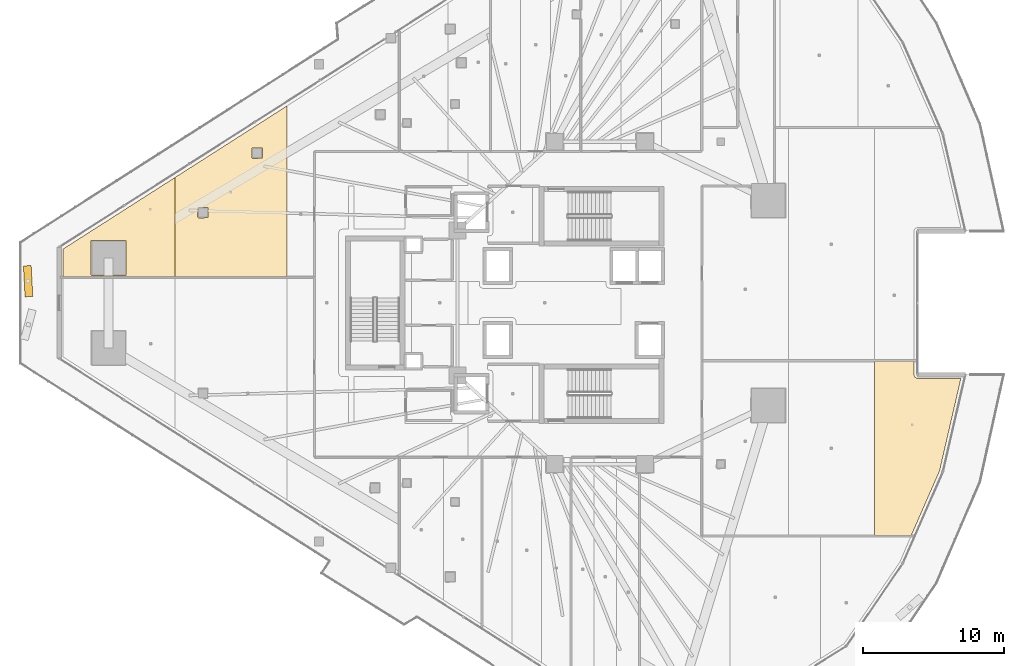
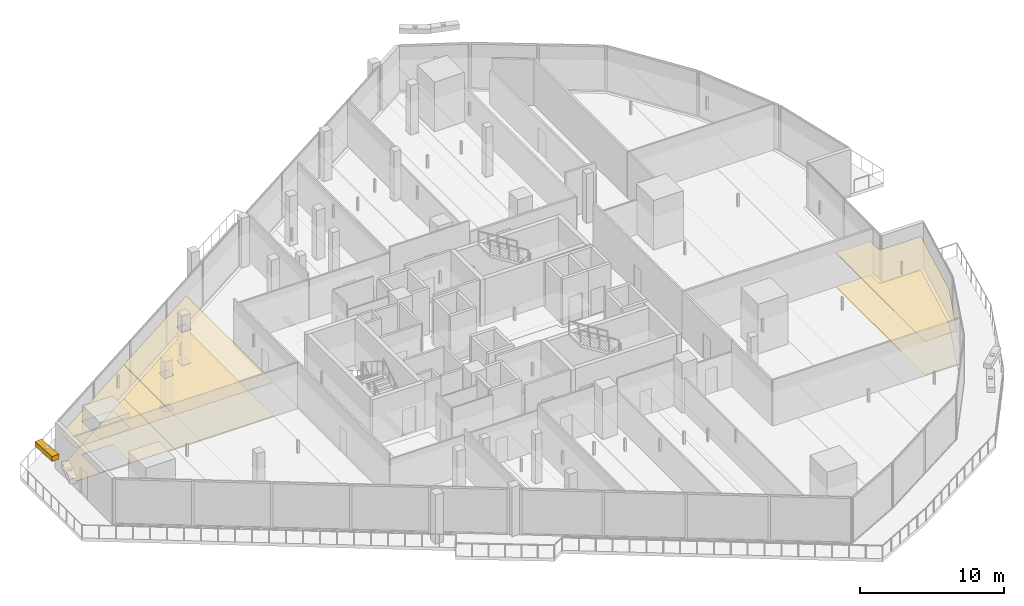
# One storey, part 41 of 45: 6 coverings, 1 shading device.
"""IFC4 building model written with IfcOpenShell, lengths in metres."""

from ifc_helpers import new_model, si_unit, direction, frame, origin, origin_2d, place, context, subcontext, project, spatial, polyline, rectangle, outline, extrude, material, layer, layer_set, type_object, element, save


model = new_model("IFC4")

# Units and contexts
model_context = context("Model", 3, precision=1e-05, world=origin(), true_north=direction((0.0, 1.0)))
body_context = subcontext(model_context, "Body", "Model", "MODEL_VIEW")
ifc_project = project(units=[si_unit("LENGTHUNIT", "METRE"), si_unit("AREAUNIT", "SQUARE_METRE"), si_unit("VOLUMEUNIT", "CUBIC_METRE"), si_unit("PLANEANGLEUNIT", "RADIAN"), si_unit("MASSUNIT", "GRAM", prefix="KILO")], contexts=[model_context])

# Site, building, storey
site_placement = place(None, origin())
site = spatial("IfcSite", under=ifc_project, at=site_placement, CompositionType="ELEMENT")
building_placement = place(site_placement, origin())
building = spatial("IfcBuilding", under=site, at=building_placement, Name="Qorvath Tower", CompositionType="ELEMENT")
storey_placement = place(building_placement, frame((0.0, 0.0, 91.199951171875)))
storey = spatial("IfcBuildingStorey", under=building, at=storey_placement, Name="L20", CompositionType="ELEMENT", Elevation=91.199951171875)

# Coverings
ifc_material_1 = material(Name="Acoustic mineral fibre ceiling tile", Category="gypsum")
ifc_layer_1 = layer(ifc_material_1, 0.030029296875)
ifc_layer_set_1 = layer_set([ifc_layer_1], Name="COV-CEIL")
covering_type_1 = type_object("IfcCoveringType", Name="COV-CEIL", PredefinedType="CEILING", material=ifc_layer_set_1)
covering_1_placement = place(storey_placement, frame((0.0, 0.0, 2.85009765625)))
element("IfcCovering", 1, at=covering_1_placement, inside=storey, type_object=covering_type_1, Name="L20 Suspended Acoustic Ceiling 031", PredefinedType="CEILING", context=body_context, shape_type="SweptSolid", body=[
    extrude(outline(polyline([(2.009521484375, -5.29345703125), (1.922119140625, -5.146484375), (1.917236328125, -4.10791015625), (-0.87890625, -4.10791015625), (-0.87890625, -16.53515625), (1.713134765625, -16.535400390625), (3.72998046875, -11.934814453125), (5.25, -5.3525390625), (2.147705078125, -5.351318359375), (2.009521484375, -5.29345703125)])), origin(), (0.0, 0.0, 1.0), 0.030029296875),
])
covering_2_placement = place(storey_placement, frame((0.0, 0.0, 2.85009765625)))
element("IfcCovering", 2, at=covering_2_placement, inside=storey, type_object=covering_type_1, Name="L20 Suspended Acoustic Ceiling 041", PredefinedType="CEILING", context=body_context, shape_type="SweptSolid", body=[
    extrude(outline(polyline([(-50.579833984375, 1.843505859375), (-50.579833984375, 8.904541015625), (-58.5380859375, 3.818115234375), (-58.5380859375, 1.843505859375), (-50.579833984375, 1.843505859375)]), holes=[polyline([(-56.54296875, 1.994384765625), (-56.525390625, 4.43701171875), (-54.04052734375, 4.43701171875), (-54.04052734375, 1.9521484375), (-56.48291015625, 1.9345703125), (-56.54296875, 1.994384765625)])]), origin(), (0.0, 0.0, 1.0), 0.030029296875),
])
covering_3_placement = place(storey_placement, frame((0.0, 0.0, 2.85009765625)))
element("IfcCovering", 3, at=covering_3_placement, inside=storey, type_object=covering_type_1, Name="L20 Suspended Acoustic Ceiling 042", PredefinedType="CEILING", context=body_context, shape_type="SweptSolid", body=[
    extrude(outline(polyline([(-42.621337890625, 1.843505859375), (-42.621337890625, 13.990966796875), (-50.579833984375, 8.904541015625), (-50.579833984375, 1.843505859375), (-42.621337890625, 1.843505859375)]), holes=[polyline([(-45.121337890625, 10.327392578125), (-45.103759765625, 11.019775390625), (-44.368896484375, 11.019775390625), (-44.368896484375, 10.284912109375), (-45.061279296875, 10.267333984375), (-45.121337890625, 10.327392578125)]), polyline([(-48.96337890625, 6.099609375), (-48.94580078125, 6.7919921875), (-48.2109375, 6.7919921875), (-48.2109375, 6.05712890625), (-48.9033203125, 6.03955078125), (-48.96337890625, 6.099609375)])]), origin(), (0.0, 0.0, 1.0), 0.030029296875),
])
ifc_material_2 = material(Name="Low-VOC modular carpet tile", Category="textile")
ifc_layer_2 = layer(ifc_material_2, 0.014892578125)
ifc_layer_set_2 = layer_set([ifc_layer_2], Name="COV-FLOOR-CPT")
covering_type_2 = type_object("IfcCoveringType", Name="COV-FLOOR-CPT", PredefinedType="FLOORING", material=ifc_layer_set_2)
covering_4_placement = place(storey_placement, origin())
element("IfcCovering", 4, at=covering_4_placement, inside=storey, type_object=covering_type_2, Name="L20 Floor Finish 031", PredefinedType="FLOORING", context=body_context, shape_type="SweptSolid", body=[
    extrude(outline(polyline([(2.009521484375, -5.29345703125), (1.922119140625, -5.146484375), (1.917236328125, -4.10791015625), (-0.87890625, -4.10791015625), (-0.87890625, -16.53515625), (1.713134765625, -16.535400390625), (3.72998046875, -11.934814453125), (5.25, -5.3525390625), (2.147705078125, -5.351318359375), (2.009521484375, -5.29345703125)])), origin(), (0.0, 0.0, 1.0), 0.01513671875),
])
covering_5_placement = place(storey_placement, origin())
element("IfcCovering", 5, at=covering_5_placement, inside=storey, type_object=covering_type_2, Name="L20 Floor Finish 041", PredefinedType="FLOORING", context=body_context, shape_type="SweptSolid", body=[
    extrude(outline(polyline([(-50.579833984375, 1.843505859375), (-50.579833984375, 8.904541015625), (-58.5380859375, 3.818115234375), (-58.5380859375, 1.843505859375), (-50.579833984375, 1.843505859375)]), holes=[polyline([(-56.54296875, 1.994384765625), (-56.525390625, 4.43701171875), (-54.04052734375, 4.43701171875), (-54.04052734375, 1.9521484375), (-56.48291015625, 1.9345703125), (-56.54296875, 1.994384765625)])]), origin(), (0.0, 0.0, 1.0), 0.01513671875),
])
covering_6_placement = place(storey_placement, origin())
element("IfcCovering", 6, at=covering_6_placement, inside=storey, type_object=covering_type_2, Name="L20 Floor Finish 042", PredefinedType="FLOORING", context=body_context, shape_type="SweptSolid", body=[
    extrude(outline(polyline([(-42.621337890625, 1.843505859375), (-42.621337890625, 13.990966796875), (-50.579833984375, 8.904541015625), (-50.579833984375, 1.843505859375), (-42.621337890625, 1.843505859375)]), holes=[polyline([(-45.121337890625, 10.327392578125), (-45.103759765625, 11.019775390625), (-44.368896484375, 11.019775390625), (-44.368896484375, 10.284912109375), (-45.061279296875, 10.267333984375), (-45.121337890625, 10.327392578125)]), polyline([(-48.96337890625, 6.099609375), (-48.94580078125, 6.7919921875), (-48.2109375, 6.7919921875), (-48.2109375, 6.05712890625), (-48.9033203125, 6.03955078125), (-48.96337890625, 6.099609375)])]), origin(), (0.0, 0.0, 1.0), 0.01513671875),
])

# Shading device
ifc_material_3 = material(Name="Anodised bronze-champagne aluminium", Category="aluminium")
shading_device_type = type_object("IfcShadingDeviceType", Name="SD-LOUVRE", PredefinedType="JALOUSIE", material=ifc_material_3)
shading_device_placement = place(storey_placement, frame((-61.004150390625, 1.544921875, 3.500244140625), z_axis=(0.0, 0.0, 1.0), x_axis=(0.053162090538, -0.99858589622, 0.0)))
element("IfcShadingDevice", 7, at=shading_device_placement, inside=storey, type_object=shading_device_type, Name="Sinusoidal Wave Louvre Blade L20-01", PredefinedType="NOTDEFINED", context=body_context, shape_type="SweptSolid", body=[
    extrude(rectangle(XDim=2.199951171875, YDim=0.550048828125, at=origin_2d()), origin(), (0.0, 0.0, 1.0), 0.419921875),
])

save(model, "model.ifc")
